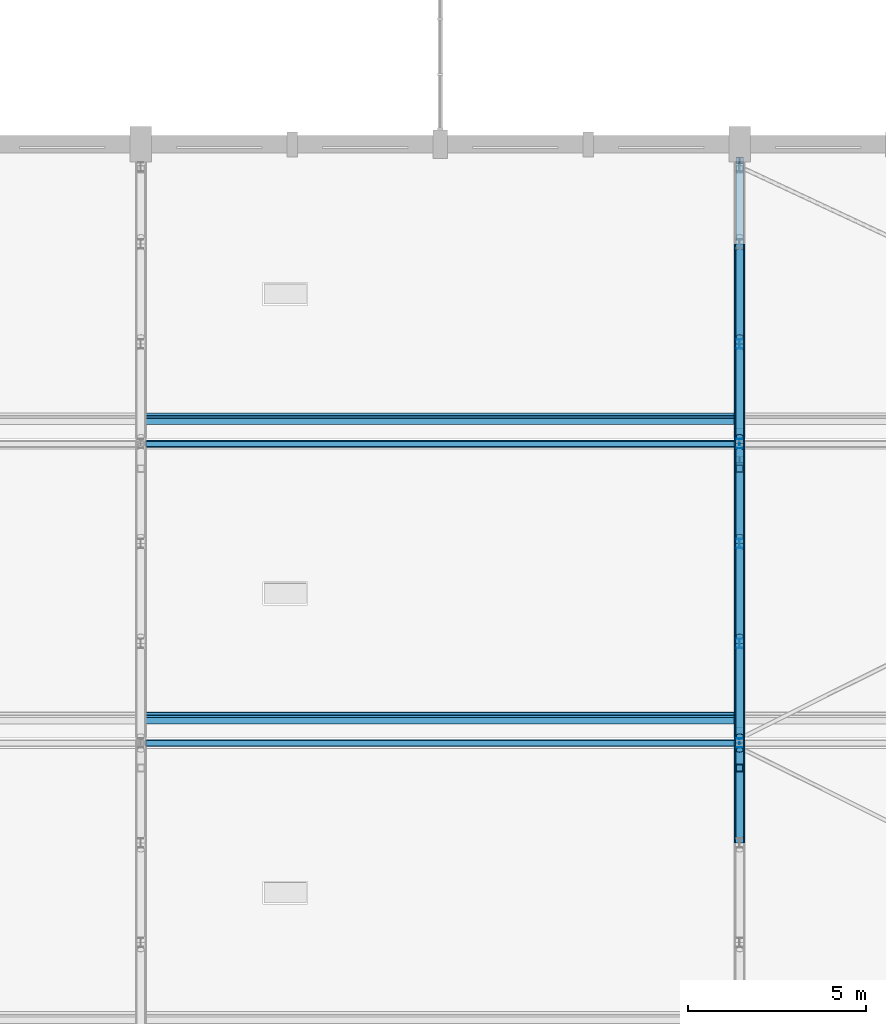
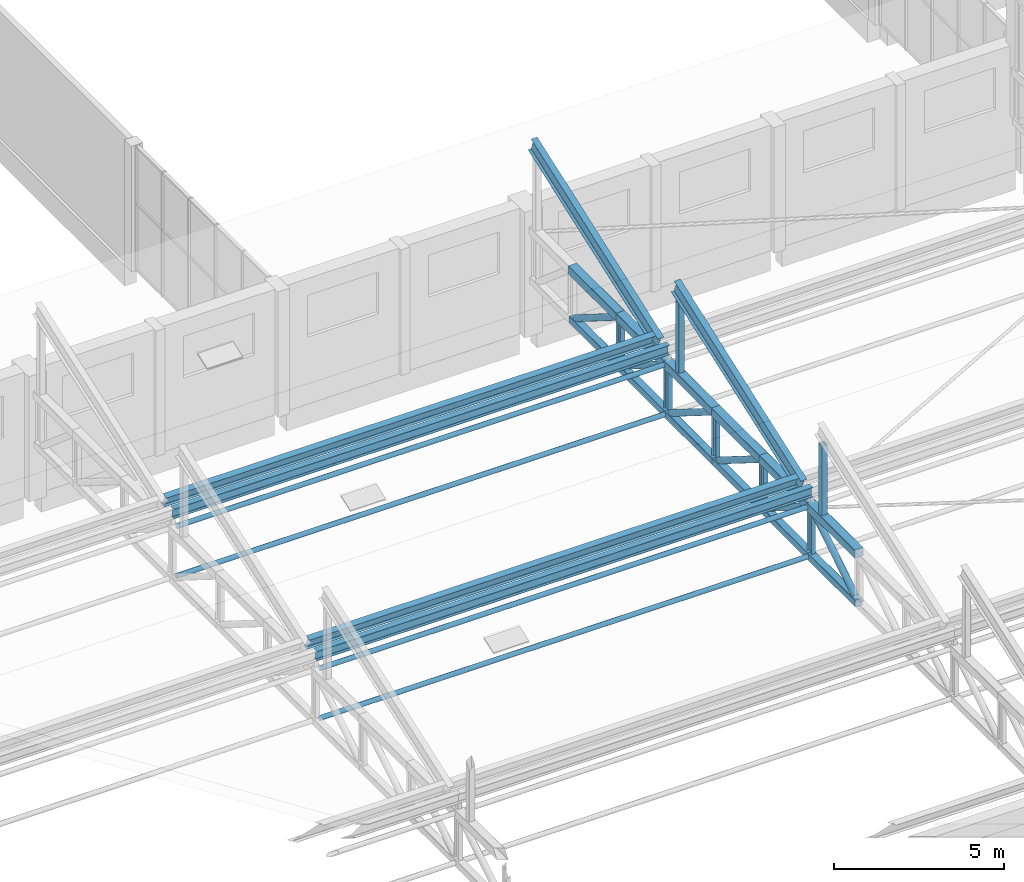
# One storey, part 34 of 101: 33 members, 2 beams.
"""IFC4 building model written with IfcOpenShell, lengths in metres."""

from ifc_helpers import new_model, si_unit, direction, frame, origin, origin_2d, place, context, subcontext, project, spatial, hollow_rectangle, hollow_circle, i_section, extrude, material, material_profile, profile_set, type_object, element, save


model = new_model("IFC4")

# Units and contexts
model_context = context("Model", 3, precision=1e-05, world=origin(), true_north=direction((0.0, 1.0)))
body_context = subcontext(model_context, "Body", "Model", "MODEL_VIEW")
ifc_project = project(units=[si_unit("LENGTHUNIT", "METRE"), si_unit("AREAUNIT", "SQUARE_METRE"), si_unit("VOLUMEUNIT", "CUBIC_METRE"), si_unit("PLANEANGLEUNIT", "RADIAN"), si_unit("MASSUNIT", "GRAM", prefix="KILO")], contexts=[model_context])

# Site, building, storey
site_placement = place(None, origin())
site = spatial("IfcSite", under=ifc_project, at=site_placement, CompositionType="ELEMENT")
building_placement = place(site_placement, origin())
building = spatial("IfcBuilding", under=site, at=building_placement, Name="Fescue Hill Polytechnic", CompositionType="ELEMENT")
storey_placement = place(building_placement, frame((0.0, 0.0, 9.0)))
storey = spatial("IfcBuildingStorey", under=building, at=storey_placement, Name="L02", CompositionType="ELEMENT", Elevation=9.0)

# Members
ifc_material = material(Name="Steel 350W (350 MPa)", Category="steel")
ifc_material_profile_1 = material_profile(ifc_material, hollow_rectangle(XDim=0.25390625, YDim=0.25390625, WallThickness=0.0126953125, InnerFilletRadius=0.0126953125, OuterFilletRadius=0.025390625, at=origin_2d()), Name="Hall truss bottom chord HSS 254x254x13")
ifc_profile_set_1 = profile_set([ifc_material_profile_1], Name="Steel 350W (350 MPa)")
member_type_1 = type_object("IfcMemberType", Name="Hall truss bottom chord HSS 254x254x13", PredefinedType="CHORD", material=ifc_profile_set_1)
member_1_placement = place(storey_placement, frame((100.800048828125, 30.800048828125, 2.0), z_axis=(0.0, 1.0, 0.0), x_axis=(-1.0, 0.0, 0.0)))
element("IfcMember", 1, at=member_1_placement, inside=storey, type_object=member_type_1, Name="Truss TR7 bottom chord 6", PredefinedType="CHORD", context=body_context, shape_type="SweptSolid", body=[
    extrude(hollow_rectangle(XDim=0.25390625, YDim=0.25390625, WallThickness=0.0126953125, InnerFilletRadius=0.0126953125, OuterFilletRadius=0.025390625, at=origin_2d()), origin(), (0.0, 0.0, 1.0), 2.800048828125),
])
member_2_placement = place(storey_placement, frame((100.800048828125, 33.60009765625, 2.0), z_axis=(0.0, 1.0, 0.0), x_axis=(-1.0, 0.0, 0.0)))
element("IfcMember", 2, at=member_2_placement, inside=storey, type_object=member_type_1, Name="Truss TR7 bottom chord 7", PredefinedType="CHORD", context=body_context, shape_type="SweptSolid", body=[
    extrude(hollow_rectangle(XDim=0.25390625, YDim=0.25390625, WallThickness=0.0126953125, InnerFilletRadius=0.0126953125, OuterFilletRadius=0.025390625, at=origin_2d()), origin(), (0.0, 0.0, 1.0), 2.7998046875),
])
for number, where, z_axis, x_axis, name in (
    (3, (100.800048828125, 36.39990234375, 2.0), (0.0, 1.0, 0.0), (-1.0, 0.0, 0.0), "Truss TR7 bottom chord 8"),
    (4, (100.800048828125, 39.199951171875, 2.0), (0.0, 1.0, 0.0), (-1.0, 0.0, 0.0), "Truss TR7 bottom chord 9"),
    (5, (100.800048828125, 42.0, 2.0), (0.0, 1.0, 0.0), (-1.0, 0.0, 0.0), "Truss TR7 bottom chord 10"),
    (6, (100.800048828125, 44.800048828125, 2.0), (0.0, 1.0, 0.0), (-1.0, 0.0, 0.0), "Truss TR7 bottom chord 11"),
):
    element("IfcMember", number, at=place(storey_placement, frame(where, z_axis=z_axis, x_axis=x_axis)), inside=storey, type_object=member_type_1, Name=name, PredefinedType="CHORD", context=body_context, shape_type="SweptSolid", body=[
        extrude(hollow_rectangle(XDim=0.25390625, YDim=0.25390625, WallThickness=0.0126953125, InnerFilletRadius=0.0126953125, OuterFilletRadius=0.025390625, at=origin_2d()), origin(), (0.0, 0.0, 1.0), 2.800048828125),
    ])
ifc_material_profile_2 = material_profile(ifc_material, hollow_circle(Radius=0.109619140625, WallThickness=0.009521484375, at=origin_2d()), Name="Hall truss diagonal CHS 219x9.5")
ifc_profile_set_2 = profile_set([ifc_material_profile_2], Name="Steel 350W (350 MPa)")
member_type_2 = type_object("IfcMemberType", Name="Hall truss diagonal CHS 219x9.5", PredefinedType="BRACE", material=ifc_profile_set_2)
for number, where, z_axis, x_axis, name in (
    (7, (100.800048828125, 31.0, 2.126953125), (0.0, 0.847329350891, 0.531067765091), (-1.0, 0.0, 0.0), "Truss TR7 diagonal 6"),
    (8, (100.800048828125, 33.800048828125, 3.631103515625), (0.0, 0.847329350891, -0.531067765091), (-1.0, 0.0, 0.0), "Truss TR7 diagonal 7"),
    (9, (100.800048828125, 36.60009765625, 3.631103515625), (0.0, 0.847329350891, -0.531067765091), (-1.0, 0.0, 0.0), "Truss TR7 diagonal 8"),
):
    element("IfcMember", number, at=place(storey_placement, frame(where, z_axis=z_axis, x_axis=x_axis)), inside=storey, type_object=member_type_2, Name=name, PredefinedType="BRACE", context=body_context, shape_type="SweptSolid", body=[
        extrude(hollow_circle(Radius=0.109619140625, WallThickness=0.009521484375, at=origin_2d()), origin(), (0.0, 0.0, 1.0), 2.832275390625),
    ])
for number, where, z_axis, x_axis, name in (
    (10, (100.800048828125, 39.39990234375, 3.631103515625), (0.0, 0.847353658992, -0.531028979051), (-1.0, 0.0, 0.0), "Truss TR7 diagonal 9"),
    (11, (100.800048828125, 42.199951171875, 3.631103515625), (0.0, 0.847353658992, -0.531028979051), (-1.0, 0.0, 0.0), "Truss TR7 diagonal 10"),
):
    element("IfcMember", number, at=place(storey_placement, frame(where, z_axis=z_axis, x_axis=x_axis)), inside=storey, type_object=member_type_2, Name=name, PredefinedType="BRACE", context=body_context, shape_type="SweptSolid", body=[
        extrude(hollow_circle(Radius=0.109619140625, WallThickness=0.009521484375, at=origin_2d()), origin(), (0.0, 0.0, 1.0), 2.83251953125),
    ])
member_3_placement = place(storey_placement, frame((100.800048828125, 45.0, 3.631103515625), z_axis=(0.0, 0.847329350891, -0.531067765091), x_axis=(-1.0, 0.0, 0.0)))
element("IfcMember", 12, at=member_3_placement, inside=storey, type_object=member_type_2, Name="Truss TR7 diagonal 11", PredefinedType="BRACE", context=body_context, shape_type="SweptSolid", body=[
    extrude(hollow_circle(Radius=0.109619140625, WallThickness=0.009521484375, at=origin_2d()), origin(), (0.0, 0.0, 1.0), 2.832275390625),
])
ifc_material_profile_3 = material_profile(ifc_material, i_section(OverallWidth=0.14794921875, OverallDepth=0.26611328125, WebThickness=0.007568359375, FlangeThickness=0.012939453125, FilletRadius=0.013916015625, at=origin_2d()), Name="W250x45")
ifc_profile_set_3 = profile_set([ifc_material_profile_3], Name="Steel 350W (350 MPa)")
member_type_3 = type_object("IfcMemberType", Name="Hall truss post W250x45", PredefinedType="POST", material=ifc_profile_set_3)
for number, where, z_axis, x_axis, name in (
    (13, (100.800048828125, 33.60009765625, 2.126953125), (0.0, 0.0, 1.0), (1.0, 0.0, 0.0), "Truss TR7 post 7"),
    (14, (100.800048828125, 36.39990234375, 2.126953125), (0.0, 0.0, 1.0), (1.0, 0.0, 0.0), "Truss TR7 post 8"),
    (15, (100.800048828125, 39.199951171875, 2.126953125), (0.0, 0.0, 1.0), (1.0, 0.0, 0.0), "Truss TR7 post 9"),
    (16, (100.800048828125, 42.0, 2.126953125), (0.0, 0.0, 1.0), (1.0, 0.0, 0.0), "Truss TR7 post 10"),
    (17, (100.800048828125, 44.800048828125, 2.126953125), (0.0, 0.0, 1.0), (1.0, 0.0, 0.0), "Truss TR7 post 11"),
):
    element("IfcMember", number, at=place(storey_placement, frame(where, z_axis=z_axis, x_axis=x_axis)), inside=storey, type_object=member_type_3, Name=name, PredefinedType="POST", context=body_context, shape_type="SweptSolid", body=[
        extrude(i_section(OverallWidth=0.14794921875, OverallDepth=0.26611328125, WebThickness=0.007568359375, FlangeThickness=0.012939453125, FilletRadius=0.013916015625, at=origin_2d()), origin(), (0.0, 0.0, 1.0), 1.504150390625),
    ])
ifc_material_profile_4 = material_profile(ifc_material, hollow_circle(Radius=0.084228515625, WallThickness=0.009521484375, at=origin_2d()), Name="Hall truss tie strut CHS 168x9.5")
ifc_profile_set_4 = profile_set([ifc_material_profile_4], Name="Steel 350W (350 MPa)")
member_type_4 = type_object("IfcMemberType", Name="Hall truss tie strut CHS 168x9.5", PredefinedType="STRUT", material=ifc_profile_set_4)
member_4_placement = place(storey_placement, frame((84.15234375, 33.60009765625, 3.783447265625), z_axis=(1.0, 0.0, 0.0), x_axis=(0.0, 1.0, 0.0)))
element("IfcMember", 18, at=member_4_placement, inside=storey, type_object=member_type_4, Name="Top chord tie strut bay 6 line 2", PredefinedType="STRUT", context=body_context, shape_type="SweptSolid", body=[
    extrude(hollow_circle(Radius=0.084228515625, WallThickness=0.009521484375, at=origin_2d()), origin(), (0.0, 0.0, 1.0), 16.495361328125),
])
member_5_placement = place(storey_placement, frame((84.126953125, 33.60009765625, 2.0), z_axis=(1.0, 0.0, 0.0), x_axis=(0.0, 1.0, 0.0)))
element("IfcMember", 19, at=member_5_placement, inside=storey, type_object=member_type_4, Name="Bottom chord tie strut bay 6 line 2", PredefinedType="STRUT", context=body_context, shape_type="SweptSolid", body=[
    extrude(hollow_circle(Radius=0.084228515625, WallThickness=0.009521484375, at=origin_2d()), origin(), (0.0, 0.0, 1.0), 16.546142578125),
])
member_6_placement = place(storey_placement, frame((84.15234375, 42.0, 3.783447265625), z_axis=(1.0, 0.0, 0.0), x_axis=(0.0, 1.0, 0.0)))
element("IfcMember", 20, at=member_6_placement, inside=storey, type_object=member_type_4, Name="Top chord tie strut bay 6 line 3", PredefinedType="STRUT", context=body_context, shape_type="SweptSolid", body=[
    extrude(hollow_circle(Radius=0.084228515625, WallThickness=0.009521484375, at=origin_2d()), origin(), (0.0, 0.0, 1.0), 16.495361328125),
])
member_7_placement = place(storey_placement, frame((84.126953125, 42.0, 2.0), z_axis=(1.0, 0.0, 0.0), x_axis=(0.0, 1.0, 0.0)))
element("IfcMember", 21, at=member_7_placement, inside=storey, type_object=member_type_4, Name="Bottom chord tie strut bay 6 line 3", PredefinedType="STRUT", context=body_context, shape_type="SweptSolid", body=[
    extrude(hollow_circle(Radius=0.084228515625, WallThickness=0.009521484375, at=origin_2d()), origin(), (0.0, 0.0, 1.0), 16.546142578125),
])
ifc_material_profile_5 = material_profile(ifc_material, hollow_rectangle(XDim=0.3046875, YDim=0.3046875, WallThickness=0.0126953125, InnerFilletRadius=0.0126953125, OuterFilletRadius=0.025390625, at=origin_2d()), Name="Hall truss top chord HSS 305x305x13")
ifc_profile_set_5 = profile_set([ifc_material_profile_5], Name="Steel 350W (350 MPa)")
member_type_5 = type_object("IfcMemberType", Name="Hall truss top chord HSS 305x305x13", PredefinedType="CHORD", material=ifc_profile_set_5)
member_8_placement = place(storey_placement, frame((100.800048828125, 30.800048828125, 3.783447265625), z_axis=(0.0, 1.0, 0.0), x_axis=(-1.0, 0.0, 0.0)))
element("IfcMember", 22, at=member_8_placement, inside=storey, type_object=member_type_5, Name="Truss TR7 top chord 6", PredefinedType="CHORD", context=body_context, shape_type="SweptSolid", body=[
    extrude(hollow_rectangle(XDim=0.3046875, YDim=0.3046875, WallThickness=0.0126953125, InnerFilletRadius=0.0126953125, OuterFilletRadius=0.025390625, at=origin_2d()), origin(), (0.0, 0.0, 1.0), 2.800048828125),
])
member_9_placement = place(storey_placement, frame((100.800048828125, 33.60009765625, 3.783447265625), z_axis=(0.0, 1.0, 0.0), x_axis=(-1.0, 0.0, 0.0)))
element("IfcMember", 23, at=member_9_placement, inside=storey, type_object=member_type_5, Name="Truss TR7 top chord 7", PredefinedType="CHORD", context=body_context, shape_type="SweptSolid", body=[
    extrude(hollow_rectangle(XDim=0.3046875, YDim=0.3046875, WallThickness=0.0126953125, InnerFilletRadius=0.0126953125, OuterFilletRadius=0.025390625, at=origin_2d()), origin(), (0.0, 0.0, 1.0), 2.7998046875),
])
for number, where, z_axis, x_axis, name in (
    (24, (100.800048828125, 36.39990234375, 3.783447265625), (0.0, 1.0, 0.0), (-1.0, 0.0, 0.0), "Truss TR7 top chord 8"),
    (25, (100.800048828125, 39.199951171875, 3.783447265625), (0.0, 1.0, 0.0), (-1.0, 0.0, 0.0), "Truss TR7 top chord 9"),
    (26, (100.800048828125, 42.0, 3.783447265625), (0.0, 1.0, 0.0), (-1.0, 0.0, 0.0), "Truss TR7 top chord 10"),
    (27, (100.800048828125, 44.800048828125, 3.783447265625), (0.0, 1.0, 0.0), (-1.0, 0.0, 0.0), "Truss TR7 top chord 11"),
):
    element("IfcMember", number, at=place(storey_placement, frame(where, z_axis=z_axis, x_axis=x_axis)), inside=storey, type_object=member_type_5, Name=name, PredefinedType="CHORD", context=body_context, shape_type="SweptSolid", body=[
        extrude(hollow_rectangle(XDim=0.3046875, YDim=0.3046875, WallThickness=0.0126953125, InnerFilletRadius=0.0126953125, OuterFilletRadius=0.025390625, at=origin_2d()), origin(), (0.0, 0.0, 1.0), 2.800048828125),
    ])
ifc_material_profile_6 = material_profile(ifc_material, i_section(OverallWidth=0.18994140625, OverallDepth=0.45703125, WebThickness=0.009033203125, FlangeThickness=0.014404296875, FilletRadius=0.0166015625, at=origin_2d()), Name="W460x74")
ifc_profile_set_6 = profile_set([ifc_material_profile_6], Name="Steel 350W (350 MPa)")
member_type_6 = type_object("IfcMemberType", Name="Tooth purlin W460x74", PredefinedType="PURLIN", material=ifc_profile_set_6)
for number, where, z_axis, x_axis, name in (
    (28, (84.1044921875, 34.300048828125, 4.294921875), (1.0, 0.0, 0.0), (0.0, 0.941741911595, 0.336336396997), "Tooth 3 purlin 1 bay 6"),
    (29, (84.1044921875, 42.699951171875, 4.294921875), (1.0, 0.0, 0.0), (0.0, 0.941741911595, 0.336336396997), "Tooth 4 purlin 1 bay 6"),
):
    element("IfcMember", number, at=place(storey_placement, frame(where, z_axis=z_axis, x_axis=x_axis)), inside=storey, type_object=member_type_6, Name=name, PredefinedType="PURLIN", context=body_context, shape_type="SweptSolid", body=[
        extrude(i_section(OverallWidth=0.18994140625, OverallDepth=0.45703125, WebThickness=0.009033203125, FlangeThickness=0.014404296875, FilletRadius=0.0166015625, at=origin_2d()), origin(), (0.0, 0.0, 1.0), 16.591064453125),
    ])
ifc_material_profile_7 = material_profile(ifc_material, i_section(OverallWidth=0.208984375, OverallDepth=0.532958984375, WebThickness=0.01025390625, FlangeThickness=0.015625, FilletRadius=0.016357421875, at=origin_2d()), Name="W530x92")
ifc_profile_set_7 = profile_set([ifc_material_profile_7], Name="Steel 350W (350 MPa)")
member_type_7 = type_object("IfcMemberType", Name="Tooth rafter W530x92", PredefinedType="RAFTER", material=ifc_profile_set_7)
for number, where, z_axis, x_axis, name in (
    (30, (100.800048828125, 34.1103515625, 4.18701171875), (0.0, 0.941744009147, 0.336330523793), (-1.0, 0.0, 0.0), "Tooth 3 rafter on TR7"),
    (31, (100.800048828125, 42.51025390625, 4.18701171875), (0.0, 0.941744009147, 0.336330523793), (-1.0, 0.0, 0.0), "Tooth 4 rafter on TR7"),
):
    element("IfcMember", number, at=place(storey_placement, frame(where, z_axis=z_axis, x_axis=x_axis)), inside=storey, type_object=member_type_7, Name=name, PredefinedType="RAFTER", context=body_context, shape_type="SweptSolid", body=[
        extrude(i_section(OverallWidth=0.208984375, OverallDepth=0.532958984375, WebThickness=0.01025390625, FlangeThickness=0.015625, FilletRadius=0.016357421875, at=origin_2d()), origin(), (0.0, 0.0, 1.0), 7.89990234375),
    ])
ifc_material_profile_8 = material_profile(ifc_material, hollow_rectangle(XDim=0.203125, YDim=0.203125, WallThickness=0.009521484375, InnerFilletRadius=0.009521484375, OuterFilletRadius=0.01904296875, at=origin_2d()), Name="Tooth ridge post HSS 203x203x9.5")
ifc_profile_set_8 = profile_set([ifc_material_profile_8], Name="Steel 350W (350 MPa)")
member_type_8 = type_object("IfcMemberType", Name="Tooth ridge post HSS 203x203x9.5", PredefinedType="POST", material=ifc_profile_set_8)
for number, where, z_axis, x_axis, name in (
    (32, (100.800048828125, 32.89990234375, 3.93603515625), (0.0, 0.0, 1.0), (1.0, 0.0, 0.0), "Tooth 2 ridge post on TR7"),
    (33, (100.800048828125, 41.300048828125, 3.93603515625), (0.0, 0.0, 1.0), (1.0, 0.0, 0.0), "Tooth 3 ridge post on TR7"),
):
    element("IfcMember", number, at=place(storey_placement, frame(where, z_axis=z_axis, x_axis=x_axis)), inside=storey, type_object=member_type_8, Name=name, PredefinedType="POST", context=body_context, shape_type="SweptSolid", body=[
        extrude(hollow_rectangle(XDim=0.203125, YDim=0.203125, WallThickness=0.009521484375, InnerFilletRadius=0.009521484375, OuterFilletRadius=0.01904296875, at=origin_2d()), origin(), (0.0, 0.0, 1.0), 2.499267578125),
    ])

# Beams
ifc_material_profile_9 = material_profile(ifc_material, i_section(OverallWidth=0.2041015625, OverallDepth=0.35009765625, WebThickness=0.008544921875, FlangeThickness=0.01513671875, FilletRadius=0.02197265625, at=origin_2d()), Name="W360x72")
ifc_profile_set_9 = profile_set([ifc_material_profile_9], Name="Steel 350W (350 MPa)")
beam_type = type_object("IfcBeamType", Name="Valley gutter beam W360x72", PredefinedType="BEAM", material=ifc_profile_set_9)
for number, where, z_axis, x_axis, name in (
    (34, (84.0, 33.60009765625, 4.324951171875), (1.0, 0.0, 0.0), (0.0, 1.0, 0.0), "Valley 3 gutter beam bay 6"),
    (35, (84.0, 42.0, 4.324951171875), (1.0, 0.0, 0.0), (0.0, 1.0, 0.0), "Valley 4 gutter beam bay 6"),
):
    element("IfcBeam", number, at=place(storey_placement, frame(where, z_axis=z_axis, x_axis=x_axis)), inside=storey, type_object=beam_type, Name=name, PredefinedType="BEAM", context=body_context, shape_type="SweptSolid", body=[
        extrude(i_section(OverallWidth=0.2041015625, OverallDepth=0.35009765625, WebThickness=0.008544921875, FlangeThickness=0.01513671875, FilletRadius=0.02197265625, at=origin_2d()), origin(), (0.0, 0.0, 1.0), 16.800048828125),
    ])

save(model, "model.ifc")
